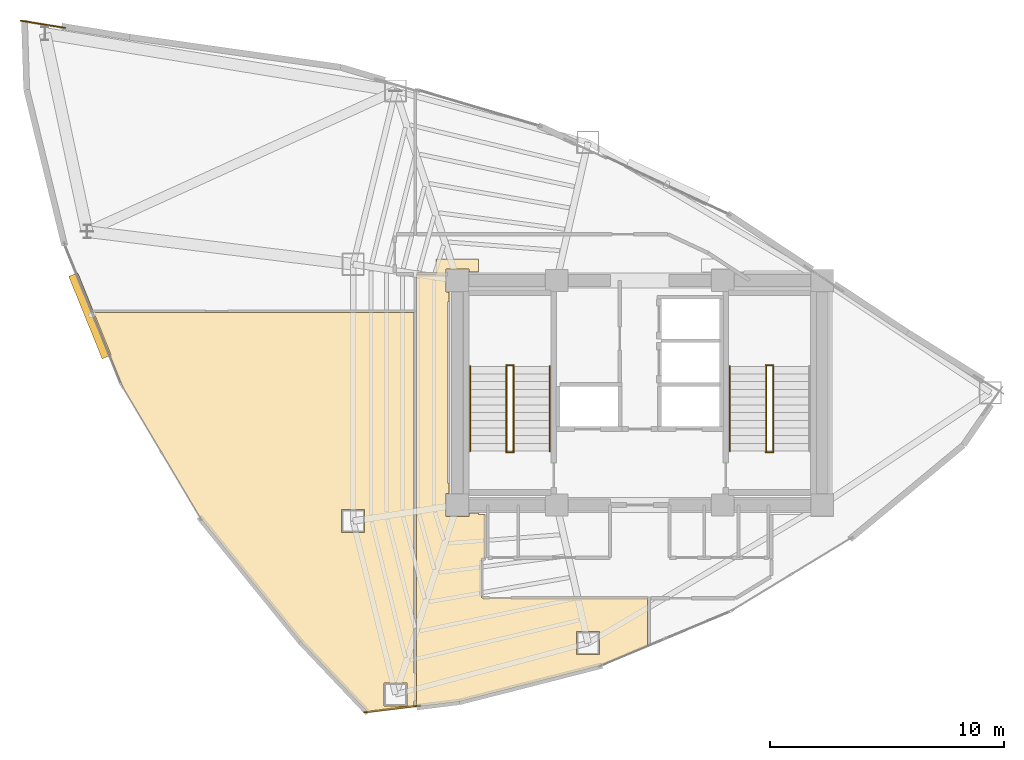
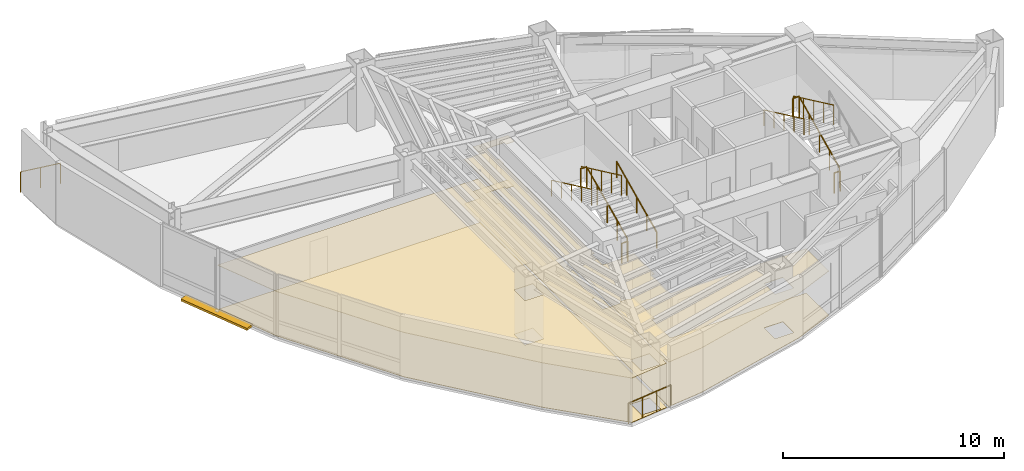
# One storey, part 15 of 16: 13 railings, 4 coverings, 1 shading device.
"""IFC4 building model written with IfcOpenShell, lengths in metres."""

from ifc_helpers import new_model, si_unit, direction, frame, origin, origin_2d, place, context, subcontext, project, spatial, polyline, rectangle, circle, outline, extrude, material, layer, layer_set, type_object, element, save


model = new_model("IFC4")

# Units and contexts
model_context = context("Model", 3, precision=1e-05, world=origin(), true_north=direction((0.0, 1.0)))
body_context = subcontext(model_context, "Body", "Model", "MODEL_VIEW")
ifc_project = project(units=[si_unit("LENGTHUNIT", "METRE"), si_unit("AREAUNIT", "SQUARE_METRE"), si_unit("VOLUMEUNIT", "CUBIC_METRE"), si_unit("PLANEANGLEUNIT", "RADIAN"), si_unit("MASSUNIT", "GRAM", prefix="KILO")], contexts=[model_context])

# Site, building, storey
site_placement = place(None, origin())
site = spatial("IfcSite", under=ifc_project, at=site_placement, CompositionType="ELEMENT")
building_placement = place(site_placement, origin())
building = spatial("IfcBuilding", under=site, at=building_placement, Name="Menara Vayukalpa", CompositionType="ELEMENT")
storey_placement = place(building_placement, frame((0.0, 0.0, 202.679931640625)))
storey = spatial("IfcBuildingStorey", under=building, at=storey_placement, Name="L51", CompositionType="ELEMENT", Elevation=202.679931640625)

# Coverings
ifc_material_1 = material(Name="Mineral Fibre Acoustic Ceiling Tile", Category="masonry")
ifc_layer_1 = layer(ifc_material_1, 0.02490234375)
ifc_layer_set_1 = layer_set([ifc_layer_1], Name="Mineral Fibre Acoustic Ceiling Tile")
covering_type_1 = type_object("IfcCoveringType", Name="COV-CLG1", PredefinedType="CEILING", material=ifc_layer_set_1)
covering_1_placement = place(storey_placement, frame((0.0, 0.0, 2.449951171875)))
element("IfcCovering", 1, at=covering_1_placement, inside=storey, type_object=covering_type_1, Name="L51 Corporate Training Classroom Acoustic Ceiling", PredefinedType="CEILING", context=body_context, shape_type="SweptSolid", body=[
    extrude(outline(polyline([(16.064697265625, 8.839599609375), (15.93994140625, 8.82421875), (15.93994140625, 8.56103515625), (15.93994140625, 8.56005859375), (15.939697265625, 8.55908203125), (15.939697265625, 8.55810546875), (15.939208984375, 8.557373046875), (15.93896484375, 8.556396484375), (15.9384765625, 8.5556640625), (15.937744140625, 8.5546875), (15.937255859375, 8.55419921875), (15.9365234375, 8.553466796875), (15.935791015625, 8.552978515625), (15.934814453125, 8.552490234375), (15.93408203125, 8.552001953125), (15.93310546875, 8.551513671875), (15.93212890625, 8.55126953125), (15.93115234375, 8.55126953125), (13.990966796875, 8.314208984375), (13.989990234375, 8.31396484375), (13.989013671875, 8.31396484375), (13.988037109375, 8.314208984375), (13.9873046875, 8.314208984375), (13.986328125, 8.314697265625), (13.985595703125, 8.31494140625), (13.984619140625, 8.3154296875), (13.98388671875, 8.31591796875), (13.983154296875, 8.31640625), (13.982421875, 8.317138671875), (11.09619140625, 11.36376953125), (11.095703125, 11.364501953125), (6.8427734375, 16.604736328125), (6.842041015625, 16.60595703125), (3.474365234375, 22.284423828125), (3.47412109375, 22.28515625), (3.4736328125, 22.28564453125), (2.207275390625, 25.40576171875), (2.20703125, 25.40673828125), (2.206787109375, 25.40771484375), (2.20654296875, 25.40869140625), (2.20654296875, 25.40966796875), (2.206787109375, 25.410400390625), (2.206787109375, 25.41162109375), (2.20703125, 25.412353515625), (2.20751953125, 25.413330078125), (2.207763671875, 25.414306640625), (2.208251953125, 25.4150390625), (2.208984375, 25.416015625), (2.20947265625, 25.41650390625), (2.210205078125, 25.417236328125), (2.211181640625, 25.417724609375), (2.2119140625, 25.418212890625), (2.212890625, 25.418701171875), (2.213623046875, 25.419189453125), (2.214599609375, 25.419189453125), (2.215576171875, 25.41943359375), (2.216552734375, 25.41943359375), (15.929931640625, 25.41943359375), (15.930908203125, 25.41943359375), (15.931884765625, 25.419189453125), (15.932861328125, 25.419189453125), (15.933837890625, 25.418701171875), (15.934814453125, 25.418212890625), (15.935546875, 25.417724609375), (15.936279296875, 25.417236328125), (15.93701171875, 25.41650390625), (15.937744140625, 25.415771484375), (15.938232421875, 25.4150390625), (15.938720703125, 25.414306640625), (15.939208984375, 25.413330078125), (15.939697265625, 25.412353515625), (15.939697265625, 25.41162109375), (15.93994140625, 25.410400390625), (15.93994140625, 25.409423828125), (15.93994140625, 10.00732421875), (16.064697265625, 10.00732421875), (16.064697265625, 8.839599609375)]), holes=[polyline([(15.644775390625, 9.58740234375), (14.664794921875, 9.58740234375), (14.664794921875, 8.607421875), (15.644775390625, 8.607421875), (15.644775390625, 9.58740234375)]), polyline([(13.833984375, 17.000732421875), (12.85400390625, 17.000732421875), (12.85400390625, 16.020751953125), (13.833984375, 16.020751953125), (13.833984375, 17.000732421875)])]), origin(), (0.0, 0.0, 1.0), 0.025146484375),
])
covering_2_placement = place(storey_placement, frame((0.0, 0.0, 2.449951171875)))
element("IfcCovering", 2, at=covering_2_placement, inside=storey, type_object=covering_type_1, Name="L51 Corporate Training Classroom Acoustic Ceiling", PredefinedType="CEILING", context=body_context, shape_type="SweptSolid", body=[
    extrude(outline(polyline([(17.449951171875, 17.68994140625), (17.31005859375, 17.68994140625), (17.31005859375, 16.7099609375), (18.2900390625, 16.7099609375), (18.2900390625, 16.85009765625), (18.7099609375, 16.85009765625), (18.7099609375, 16.7900390625), (18.97998046875, 16.7900390625), (18.98095703125, 16.7900390625), (18.98193359375, 16.789794921875), (18.98291015625, 16.78955078125), (18.98388671875, 16.789306640625), (18.984619140625, 16.788818359375), (18.985595703125, 16.788330078125), (18.986328125, 16.78759765625), (18.987060546875, 16.787109375), (18.98779296875, 16.786376953125), (18.98828125, 16.78564453125), (18.98876953125, 16.78466796875), (18.9892578125, 16.78369140625), (18.989501953125, 16.782958984375), (18.98974609375, 16.781982421875), (18.989990234375, 16.781005859375), (18.989990234375, 16.780029296875), (18.989990234375, 14.929931640625), (18.989990234375, 14.928955078125), (18.98974609375, 14.927978515625), (18.989501953125, 14.927001953125), (18.9892578125, 14.92626953125), (18.98876953125, 14.92529296875), (18.98828125, 14.92431640625), (18.98779296875, 14.923583984375), (18.987060546875, 14.9228515625), (18.986328125, 14.92236328125), (18.985595703125, 14.921630859375), (18.984619140625, 14.921142578125), (18.98388671875, 14.9208984375), (18.98291015625, 14.92041015625), (18.98193359375, 14.920166015625), (18.98095703125, 14.919921875), (18.97998046875, 14.919921875), (18.900390625, 14.919921875), (18.893310546875, 14.919677734375), (18.88623046875, 14.918701171875), (18.879638671875, 14.9169921875), (18.873291015625, 14.914794921875), (18.866943359375, 14.911865234375), (18.861083984375, 14.908203125), (18.85546875, 14.904052734375), (18.8505859375, 14.8994140625), (18.845947265625, 14.89453125), (18.841796875, 14.888916015625), (18.838134765625, 14.883056640625), (18.835205078125, 14.876708984375), (18.8330078125, 14.870361328125), (18.831298828125, 14.86376953125), (18.830322265625, 14.856689453125), (18.830078125, 14.849609375), (18.830078125, 13.290283203125), (18.830322265625, 13.283203125), (18.831298828125, 13.2763671875), (18.8330078125, 13.269775390625), (18.835205078125, 13.26318359375), (18.838134765625, 13.257080078125), (18.841796875, 13.251220703125), (18.845947265625, 13.24560546875), (18.8505859375, 13.240478515625), (18.85546875, 13.236083984375), (18.861083984375, 13.231689453125), (18.866943359375, 13.228271484375), (18.873291015625, 13.225341796875), (18.879638671875, 13.222900390625), (18.88623046875, 13.22119140625), (18.893310546875, 13.220458984375), (18.900390625, 13.219970703125), (25.929931640625, 13.219970703125), (25.930908203125, 13.219970703125), (25.931884765625, 13.2197265625), (25.932861328125, 13.219482421875), (25.933837890625, 13.21923828125), (25.934814453125, 13.21875), (25.935546875, 13.21826171875), (25.936279296875, 13.2177734375), (25.93701171875, 13.217041015625), (25.937744140625, 13.21630859375), (25.938232421875, 13.215576171875), (25.938720703125, 13.214599609375), (25.939208984375, 13.2138671875), (25.939697265625, 13.212890625), (25.939697265625, 13.2119140625), (25.93994140625, 13.2109375), (25.93994140625, 13.2099609375), (25.93994140625, 11.18701171875), (25.93994140625, 11.18603515625), (25.939697265625, 11.18505859375), (25.939697265625, 11.18408203125), (25.939208984375, 11.18310546875), (25.938720703125, 11.182373046875), (25.938232421875, 11.181396484375), (25.937744140625, 11.1806640625), (25.93701171875, 11.179931640625), (25.936279296875, 11.17919921875), (25.935546875, 11.1787109375), (25.934814453125, 11.17822265625), (25.933837890625, 11.177734375), (23.885986328125, 10.3212890625), (23.884765625, 10.32080078125), (17.880615234375, 8.789306640625), (17.879150390625, 8.789306640625), (16.0712890625, 8.568359375), (16.0703125, 8.568115234375), (16.069091796875, 8.568115234375), (16.068115234375, 8.568359375), (16.0673828125, 8.568603515625), (16.06640625, 8.56884765625), (16.0654296875, 8.5693359375), (16.064697265625, 8.56982421875), (16.063720703125, 8.5703125), (16.06298828125, 8.571044921875), (16.062255859375, 8.57177734375), (16.061767578125, 8.572509765625), (16.061279296875, 8.573486328125), (16.060791015625, 8.57421875), (16.060302734375, 8.5751953125), (16.060302734375, 8.576171875), (16.06005859375, 8.5771484375), (16.06005859375, 8.578125), (16.06005859375, 27.06005859375), (16.06005859375, 27.06103515625), (16.060302734375, 27.06201171875), (16.060302734375, 27.06298828125), (16.060791015625, 27.063720703125), (16.061279296875, 27.064697265625), (16.061767578125, 27.065673828125), (16.062255859375, 27.06640625), (16.06298828125, 27.067138671875), (16.063720703125, 27.067626953125), (16.064453125, 27.068359375), (16.065185546875, 27.06884765625), (16.066162109375, 27.069091796875), (16.067138671875, 27.069580078125), (16.068115234375, 27.06982421875), (16.069091796875, 27.070068359375), (16.070068359375, 27.070068359375), (16.889892578125, 27.070068359375), (16.889892578125, 27.7099609375), (18.7099609375, 27.7099609375), (18.7099609375, 27.14990234375), (18.2900390625, 27.14990234375), (18.2900390625, 27.2900390625), (17.31005859375, 27.2900390625), (17.31005859375, 26.31005859375), (17.449951171875, 26.31005859375), (17.449951171875, 25.889892578125), (17.389892578125, 25.889892578125), (17.389892578125, 18.110107421875), (17.449951171875, 18.110107421875), (17.449951171875, 17.68994140625)]), holes=[polyline([(23.87939453125, 11.781494140625), (22.8994140625, 11.781494140625), (22.8994140625, 10.801513671875), (23.87939453125, 10.801513671875), (23.87939453125, 11.781494140625)])]), origin(), (0.0, 0.0, 1.0), 0.025146484375),
])
ifc_material_2 = material(Name="Porcelain Stoneware Floor Tile", Category="masonry")
ifc_layer_2 = layer(ifc_material_2, 0.02001953125)
ifc_layer_set_2 = layer_set([ifc_layer_2], Name="Porcelain Stoneware Floor Tile")
covering_type_2 = type_object("IfcCoveringType", Name="COV-FLR1", PredefinedType="FLOORING", material=ifc_layer_set_2)
covering_3_placement = place(storey_placement, origin())
element("IfcCovering", 3, at=covering_3_placement, inside=storey, type_object=covering_type_2, Name="L51 Corporate Training Classroom Porcelain Flooring", PredefinedType="FLOORING", context=body_context, shape_type="SweptSolid", body=[
    extrude(outline(polyline([(16.064697265625, 8.839599609375), (15.93994140625, 8.82421875), (15.93994140625, 8.56103515625), (15.93994140625, 8.56005859375), (15.939697265625, 8.55908203125), (15.939697265625, 8.55810546875), (15.939208984375, 8.557373046875), (15.93896484375, 8.556396484375), (15.9384765625, 8.5556640625), (15.937744140625, 8.5546875), (15.937255859375, 8.55419921875), (15.9365234375, 8.553466796875), (15.935791015625, 8.552978515625), (15.934814453125, 8.552490234375), (15.93408203125, 8.552001953125), (15.93310546875, 8.551513671875), (15.93212890625, 8.55126953125), (15.93115234375, 8.55126953125), (13.990966796875, 8.314208984375), (13.989990234375, 8.31396484375), (13.989013671875, 8.31396484375), (13.988037109375, 8.314208984375), (13.9873046875, 8.314208984375), (13.986328125, 8.314697265625), (13.985595703125, 8.31494140625), (13.984619140625, 8.3154296875), (13.98388671875, 8.31591796875), (13.983154296875, 8.31640625), (13.982421875, 8.317138671875), (11.09619140625, 11.36376953125), (11.095703125, 11.364501953125), (6.8427734375, 16.604736328125), (6.842041015625, 16.60595703125), (3.474365234375, 22.284423828125), (3.47412109375, 22.28515625), (3.4736328125, 22.28564453125), (2.207275390625, 25.40576171875), (2.20703125, 25.40673828125), (2.206787109375, 25.40771484375), (2.20654296875, 25.40869140625), (2.20654296875, 25.40966796875), (2.206787109375, 25.410400390625), (2.206787109375, 25.41162109375), (2.20703125, 25.412353515625), (2.20751953125, 25.413330078125), (2.207763671875, 25.414306640625), (2.208251953125, 25.4150390625), (2.208984375, 25.416015625), (2.20947265625, 25.41650390625), (2.210205078125, 25.417236328125), (2.211181640625, 25.417724609375), (2.2119140625, 25.418212890625), (2.212890625, 25.418701171875), (2.213623046875, 25.419189453125), (2.214599609375, 25.419189453125), (2.215576171875, 25.41943359375), (2.216552734375, 25.41943359375), (15.929931640625, 25.41943359375), (15.930908203125, 25.41943359375), (15.931884765625, 25.419189453125), (15.932861328125, 25.419189453125), (15.933837890625, 25.418701171875), (15.934814453125, 25.418212890625), (15.935546875, 25.417724609375), (15.936279296875, 25.417236328125), (15.93701171875, 25.41650390625), (15.937744140625, 25.415771484375), (15.938232421875, 25.4150390625), (15.938720703125, 25.414306640625), (15.939208984375, 25.413330078125), (15.939697265625, 25.412353515625), (15.939697265625, 25.41162109375), (15.93994140625, 25.410400390625), (15.93994140625, 25.409423828125), (15.93994140625, 10.00732421875), (16.064697265625, 10.00732421875), (16.064697265625, 8.839599609375)]), holes=[polyline([(15.644775390625, 9.58740234375), (14.664794921875, 9.58740234375), (14.664794921875, 8.607421875), (15.644775390625, 8.607421875), (15.644775390625, 9.58740234375)]), polyline([(13.833984375, 17.000732421875), (12.85400390625, 17.000732421875), (12.85400390625, 16.020751953125), (13.833984375, 16.020751953125), (13.833984375, 17.000732421875)])]), origin(), (0.0, 0.0, 1.0), 0.02001953125),
])
covering_4_placement = place(storey_placement, origin())
element("IfcCovering", 4, at=covering_4_placement, inside=storey, type_object=covering_type_2, Name="L51 Corporate Training Classroom Porcelain Flooring", PredefinedType="FLOORING", context=body_context, shape_type="SweptSolid", body=[
    extrude(outline(polyline([(17.449951171875, 17.68994140625), (17.31005859375, 17.68994140625), (17.31005859375, 16.7099609375), (18.2900390625, 16.7099609375), (18.2900390625, 16.85009765625), (18.7099609375, 16.85009765625), (18.7099609375, 16.7900390625), (18.97998046875, 16.7900390625), (18.98095703125, 16.7900390625), (18.98193359375, 16.789794921875), (18.98291015625, 16.78955078125), (18.98388671875, 16.789306640625), (18.984619140625, 16.788818359375), (18.985595703125, 16.788330078125), (18.986328125, 16.78759765625), (18.987060546875, 16.787109375), (18.98779296875, 16.786376953125), (18.98828125, 16.78564453125), (18.98876953125, 16.78466796875), (18.9892578125, 16.78369140625), (18.989501953125, 16.782958984375), (18.98974609375, 16.781982421875), (18.989990234375, 16.781005859375), (18.989990234375, 16.780029296875), (18.989990234375, 14.929931640625), (18.989990234375, 14.928955078125), (18.98974609375, 14.927978515625), (18.989501953125, 14.927001953125), (18.9892578125, 14.92626953125), (18.98876953125, 14.92529296875), (18.98828125, 14.92431640625), (18.98779296875, 14.923583984375), (18.987060546875, 14.9228515625), (18.986328125, 14.92236328125), (18.985595703125, 14.921630859375), (18.984619140625, 14.921142578125), (18.98388671875, 14.9208984375), (18.98291015625, 14.92041015625), (18.98193359375, 14.920166015625), (18.98095703125, 14.919921875), (18.97998046875, 14.919921875), (18.900390625, 14.919921875), (18.893310546875, 14.919677734375), (18.88623046875, 14.918701171875), (18.879638671875, 14.9169921875), (18.873291015625, 14.914794921875), (18.866943359375, 14.911865234375), (18.861083984375, 14.908203125), (18.85546875, 14.904052734375), (18.8505859375, 14.8994140625), (18.845947265625, 14.89453125), (18.841796875, 14.888916015625), (18.838134765625, 14.883056640625), (18.835205078125, 14.876708984375), (18.8330078125, 14.870361328125), (18.831298828125, 14.86376953125), (18.830322265625, 14.856689453125), (18.830078125, 14.849609375), (18.830078125, 13.290283203125), (18.830322265625, 13.283203125), (18.831298828125, 13.2763671875), (18.8330078125, 13.269775390625), (18.835205078125, 13.26318359375), (18.838134765625, 13.257080078125), (18.841796875, 13.251220703125), (18.845947265625, 13.24560546875), (18.8505859375, 13.240478515625), (18.85546875, 13.236083984375), (18.861083984375, 13.231689453125), (18.866943359375, 13.228271484375), (18.873291015625, 13.225341796875), (18.879638671875, 13.222900390625), (18.88623046875, 13.22119140625), (18.893310546875, 13.220458984375), (18.900390625, 13.219970703125), (25.929931640625, 13.219970703125), (25.930908203125, 13.219970703125), (25.931884765625, 13.2197265625), (25.932861328125, 13.219482421875), (25.933837890625, 13.21923828125), (25.934814453125, 13.21875), (25.935546875, 13.21826171875), (25.936279296875, 13.2177734375), (25.93701171875, 13.217041015625), (25.937744140625, 13.21630859375), (25.938232421875, 13.215576171875), (25.938720703125, 13.214599609375), (25.939208984375, 13.2138671875), (25.939697265625, 13.212890625), (25.939697265625, 13.2119140625), (25.93994140625, 13.2109375), (25.93994140625, 13.2099609375), (25.93994140625, 11.18701171875), (25.93994140625, 11.18603515625), (25.939697265625, 11.18505859375), (25.939697265625, 11.18408203125), (25.939208984375, 11.18310546875), (25.938720703125, 11.182373046875), (25.938232421875, 11.181396484375), (25.937744140625, 11.1806640625), (25.93701171875, 11.179931640625), (25.936279296875, 11.17919921875), (25.935546875, 11.1787109375), (25.934814453125, 11.17822265625), (25.933837890625, 11.177734375), (23.885986328125, 10.3212890625), (23.884765625, 10.32080078125), (17.880615234375, 8.789306640625), (17.879150390625, 8.789306640625), (16.0712890625, 8.568359375), (16.0703125, 8.568115234375), (16.069091796875, 8.568115234375), (16.068115234375, 8.568359375), (16.0673828125, 8.568603515625), (16.06640625, 8.56884765625), (16.0654296875, 8.5693359375), (16.064697265625, 8.56982421875), (16.063720703125, 8.5703125), (16.06298828125, 8.571044921875), (16.062255859375, 8.57177734375), (16.061767578125, 8.572509765625), (16.061279296875, 8.573486328125), (16.060791015625, 8.57421875), (16.060302734375, 8.5751953125), (16.060302734375, 8.576171875), (16.06005859375, 8.5771484375), (16.06005859375, 8.578125), (16.06005859375, 27.06005859375), (16.06005859375, 27.06103515625), (16.060302734375, 27.06201171875), (16.060302734375, 27.06298828125), (16.060791015625, 27.063720703125), (16.061279296875, 27.064697265625), (16.061767578125, 27.065673828125), (16.062255859375, 27.06640625), (16.06298828125, 27.067138671875), (16.063720703125, 27.067626953125), (16.064453125, 27.068359375), (16.065185546875, 27.06884765625), (16.066162109375, 27.069091796875), (16.067138671875, 27.069580078125), (16.068115234375, 27.06982421875), (16.069091796875, 27.070068359375), (16.070068359375, 27.070068359375), (16.889892578125, 27.070068359375), (16.889892578125, 27.7099609375), (18.7099609375, 27.7099609375), (18.7099609375, 27.14990234375), (18.2900390625, 27.14990234375), (18.2900390625, 27.2900390625), (17.31005859375, 27.2900390625), (17.31005859375, 26.31005859375), (17.449951171875, 26.31005859375), (17.449951171875, 25.889892578125), (17.389892578125, 25.889892578125), (17.389892578125, 18.110107421875), (17.449951171875, 18.110107421875), (17.449951171875, 17.68994140625)]), holes=[polyline([(23.87939453125, 11.781494140625), (22.8994140625, 11.781494140625), (22.8994140625, 10.801513671875), (23.87939453125, 10.801513671875), (23.87939453125, 11.781494140625)])]), origin(), (0.0, 0.0, 1.0), 0.02001953125),
])

# Railings
ifc_material_3 = material(Name="Laminated Glass and Stainless Steel 316 Guardrail", Category="steel")
railing_type_1 = type_object("IfcRailingType", Name="RLG-EXT115", PredefinedType="GUARDRAIL", material=ifc_material_3)
railing_1_placement = place(storey_placement, frame((1.029296875, 37.597412109375, 0.0)))
element("IfcRailing", 5, at=railing_1_placement, inside=storey, type_object=railing_type_1, Name="L51 Column Corner Spandrel Guardrail 07-1", PredefinedType="GUARDRAIL", context=body_context, shape_type="SweptSolid", body=[
    extrude(circle(Radius=0.02392578125, at=origin_2d()), frame((0.0, 0.0, 1.1259765625), z_axis=(-0.987131356628, 0.159911490402, 0.0), x_axis=(-0.159911490402, -0.987131356628, 0.0)), (0.0, 0.0, 1.0), 1.932861328125),
    extrude(circle(Radius=0.02099609375, at=origin_2d()), origin(), (0.0, 0.0, 1.0), 1.101806640625),
    extrude(circle(Radius=0.02099609375, at=origin_2d()), frame((-0.9541015625, 0.154541015625, 0.0)), (0.0, 0.0, 1.0), 1.101806640625),
    extrude(circle(Radius=0.02099609375, at=origin_2d()), frame((-1.907958984375, 0.30908203125, 0.0)), (0.0, 0.0, 1.0), 1.101806640625),
])
railing_2_placement = place(storey_placement, frame((13.817138671875, 8.3330078125, 0.0)))
element("IfcRailing", 6, at=railing_2_placement, inside=storey, type_object=railing_type_1, Name="L51 Column Corner Spandrel Guardrail 14-1", PredefinedType="GUARDRAIL", context=body_context, shape_type="SweptSolid", body=[
    extrude(circle(Radius=0.02392578125, at=origin_2d()), frame((0.0, 0.0, 1.1259765625), z_axis=(0.992605536887, 0.121384711313, 0.0), x_axis=(-0.121384711313, 0.992605536887, 0.0)), (0.0, 0.0, 1.0), 2.41552734375),
    extrude(circle(Radius=0.02099609375, at=origin_2d()), origin(), (0.0, 0.0, 1.0), 1.101806640625),
    extrude(circle(Radius=0.02099609375, at=origin_2d()), frame((0.79931640625, 0.09765625, 0.0)), (0.0, 0.0, 1.0), 1.101806640625),
    extrude(circle(Radius=0.02099609375, at=origin_2d()), frame((1.598388671875, 0.195556640625, 0.0)), (0.0, 0.0, 1.0), 1.101806640625),
    extrude(circle(Radius=0.02099609375, at=origin_2d()), frame((2.397705078125, 0.293212890625, 0.0)), (0.0, 0.0, 1.0), 1.101806640625),
])
ifc_material_4 = material(Name="Powder-Coated Galvanised Steel Guardrail", Category="steel")
railing_type_2 = type_object("IfcRailingType", Name="RLG-STG110", PredefinedType="GUARDRAIL", material=ifc_material_4)
railing_3_placement = place(storey_placement, frame((20.199951171875, 19.5, 0.155029296875)))
element("IfcRailing", 7, at=railing_3_placement, inside=storey, type_object=railing_type_2, Name="L51 ST-1 stair guard 1", PredefinedType="GUARDRAIL", context=body_context, shape_type="SweptSolid", body=[
    extrude(circle(Radius=0.02392578125, at=origin_2d()), frame((0.0, 0.0, 1.09619140625), z_axis=(0.0, 0.90511648382, 0.425163675209), x_axis=(-1.0, 0.0, 0.0)), (0.0, 0.0, 1.0), 4.010498046875),
    extrude(circle(Radius=0.02099609375, at=origin_2d()), origin(), (0.0, 0.0, 1.0), 1.072021484375),
    extrude(circle(Radius=0.02099609375, at=origin_2d()), frame((0.0, 0.907470703125, 0.42626953125)), (0.0, 0.0, 1.0), 1.072021484375),
    extrude(circle(Radius=0.02099609375, at=origin_2d()), frame((0.0, 1.81494140625, 0.8525390625)), (0.0, 0.0, 1.0), 1.072021484375),
    extrude(circle(Radius=0.02099609375, at=origin_2d()), frame((0.0, 2.722412109375, 1.27880859375)), (0.0, 0.0, 1.0), 1.072021484375),
    extrude(circle(Radius=0.02099609375, at=origin_2d()), frame((0.0, 3.6298828125, 1.705078125)), (0.0, 0.0, 1.0), 1.072021484375),
])
railing_4_placement = place(storey_placement, frame((20.2099609375, 23.179931640625, 1.860107421875)))
element("IfcRailing", 8, at=railing_4_placement, inside=storey, type_object=railing_type_2, Name="L51 ST-1 stair guard 2", PredefinedType="GUARDRAIL", context=body_context, shape_type="SweptSolid", body=[
    extrude(circle(Radius=0.02392578125, at=origin_2d()), frame((0.0, 0.0, 1.09619140625), z_axis=(-1.0, 0.0, 0.0), x_axis=(0.0, -1.0, 0.0)), (0.0, 0.0, 1.0), 0.320068359375),
    extrude(circle(Radius=0.02099609375, at=origin_2d()), origin(), (0.0, 0.0, 1.0), 1.072021484375),
    extrude(circle(Radius=0.02099609375, at=origin_2d()), frame((-0.320068359375, 0.0, 0.0)), (0.0, 0.0, 1.0), 1.072021484375),
])
railing_5_placement = place(storey_placement, frame((19.89990234375, 23.1298828125, 2.01513671875)))
element("IfcRailing", 9, at=railing_5_placement, inside=storey, type_object=railing_type_2, Name="L51 ST-1 stair guard 3", PredefinedType="GUARDRAIL", context=body_context, shape_type="SweptSolid", body=[
    extrude(circle(Radius=0.02392578125, at=origin_2d()), frame((0.0, 0.0, 1.09619140625), z_axis=(0.0, -0.90513990983, 0.425113800803), x_axis=(1.0, 0.0, 0.0)), (0.0, 0.0, 1.0), 4.01025390625),
    extrude(circle(Radius=0.02099609375, at=origin_2d()), origin(), (0.0, 0.0, 1.0), 1.072021484375),
    extrude(circle(Radius=0.02099609375, at=origin_2d()), frame((0.0, -0.907470703125, 0.42626953125)), (0.0, 0.0, 1.0), 1.072021484375),
    extrude(circle(Radius=0.02099609375, at=origin_2d()), frame((0.0, -1.81494140625, 0.8525390625)), (0.0, 0.0, 1.0), 1.072021484375),
    extrude(circle(Radius=0.02099609375, at=origin_2d()), frame((0.0, -2.722412109375, 1.278564453125)), (0.0, 0.0, 1.0), 1.072021484375),
    extrude(circle(Radius=0.02099609375, at=origin_2d()), frame((0.0, -3.6298828125, 1.704833984375)), (0.0, 0.0, 1.0), 1.072021484375),
])
railing_6_placement = place(storey_placement, frame((20.2099609375, 19.449951171875, 0.0)))
element("IfcRailing", 10, at=railing_6_placement, inside=storey, type_object=railing_type_2, Name="L51 ST-1 stair guard 4", PredefinedType="GUARDRAIL", context=body_context, shape_type="SweptSolid", body=[
    extrude(circle(Radius=0.02392578125, at=origin_2d()), frame((0.0, 0.0, 1.09619140625), z_axis=(-1.0, 0.0, 0.0), x_axis=(0.0, -1.0, 0.0)), (0.0, 0.0, 1.0), 0.320068359375),
    extrude(circle(Radius=0.02099609375, at=origin_2d()), origin(), (0.0, 0.0, 1.0), 1.072021484375),
    extrude(circle(Radius=0.02099609375, at=origin_2d()), frame((-0.320068359375, 0.0, 0.0)), (0.0, 0.0, 1.0), 1.072021484375),
])
railing_7_placement = place(storey_placement, frame((31.300048828125, 19.5, 0.155029296875)))
element("IfcRailing", 11, at=railing_7_placement, inside=storey, type_object=railing_type_2, Name="L51 ST-2 stair guard 1", PredefinedType="GUARDRAIL", context=body_context, shape_type="SweptSolid", body=[
    extrude(circle(Radius=0.02392578125, at=origin_2d()), frame((0.0, 0.0, 1.09619140625), z_axis=(0.0, 0.90511648382, 0.425163675209), x_axis=(-1.0, 0.0, 0.0)), (0.0, 0.0, 1.0), 4.010498046875),
    extrude(circle(Radius=0.02099609375, at=origin_2d()), origin(), (0.0, 0.0, 1.0), 1.072021484375),
    extrude(circle(Radius=0.02099609375, at=origin_2d()), frame((0.0, 0.907470703125, 0.42626953125)), (0.0, 0.0, 1.0), 1.072021484375),
    extrude(circle(Radius=0.02099609375, at=origin_2d()), frame((0.0, 1.81494140625, 0.8525390625)), (0.0, 0.0, 1.0), 1.072021484375),
    extrude(circle(Radius=0.02099609375, at=origin_2d()), frame((0.0, 2.722412109375, 1.27880859375)), (0.0, 0.0, 1.0), 1.072021484375),
    extrude(circle(Radius=0.02099609375, at=origin_2d()), frame((0.0, 3.6298828125, 1.705078125)), (0.0, 0.0, 1.0), 1.072021484375),
])
railing_8_placement = place(storey_placement, frame((31.31005859375, 23.179931640625, 1.860107421875)))
element("IfcRailing", 12, at=railing_8_placement, inside=storey, type_object=railing_type_2, Name="L51 ST-2 stair guard 2", PredefinedType="GUARDRAIL", context=body_context, shape_type="SweptSolid", body=[
    extrude(circle(Radius=0.02392578125, at=origin_2d()), frame((0.0, 0.0, 1.09619140625), z_axis=(-1.0, 0.0, 0.0), x_axis=(0.0, -1.0, 0.0)), (0.0, 0.0, 1.0), 0.320068359375),
    extrude(circle(Radius=0.02099609375, at=origin_2d()), origin(), (0.0, 0.0, 1.0), 1.072021484375),
    extrude(circle(Radius=0.02099609375, at=origin_2d()), frame((-0.320068359375, 0.0, 0.0)), (0.0, 0.0, 1.0), 1.072021484375),
])
railing_9_placement = place(storey_placement, frame((31.0, 23.1298828125, 2.01513671875)))
element("IfcRailing", 13, at=railing_9_placement, inside=storey, type_object=railing_type_2, Name="L51 ST-2 stair guard 3", PredefinedType="GUARDRAIL", context=body_context, shape_type="SweptSolid", body=[
    extrude(circle(Radius=0.02392578125, at=origin_2d()), frame((0.0, 0.0, 1.09619140625), z_axis=(0.0, -0.90513990983, 0.425113800803), x_axis=(1.0, 0.0, 0.0)), (0.0, 0.0, 1.0), 4.01025390625),
    extrude(circle(Radius=0.02099609375, at=origin_2d()), origin(), (0.0, 0.0, 1.0), 1.072021484375),
    extrude(circle(Radius=0.02099609375, at=origin_2d()), frame((0.0, -0.907470703125, 0.42626953125)), (0.0, 0.0, 1.0), 1.072021484375),
    extrude(circle(Radius=0.02099609375, at=origin_2d()), frame((0.0, -1.81494140625, 0.8525390625)), (0.0, 0.0, 1.0), 1.072021484375),
    extrude(circle(Radius=0.02099609375, at=origin_2d()), frame((0.0, -2.722412109375, 1.278564453125)), (0.0, 0.0, 1.0), 1.072021484375),
    extrude(circle(Radius=0.02099609375, at=origin_2d()), frame((0.0, -3.6298828125, 1.704833984375)), (0.0, 0.0, 1.0), 1.072021484375),
])
railing_10_placement = place(storey_placement, frame((31.31005859375, 19.449951171875, 0.0)))
element("IfcRailing", 14, at=railing_10_placement, inside=storey, type_object=railing_type_2, Name="L51 ST-2 stair guard 4", PredefinedType="GUARDRAIL", context=body_context, shape_type="SweptSolid", body=[
    extrude(circle(Radius=0.02392578125, at=origin_2d()), frame((0.0, 0.0, 1.09619140625), z_axis=(-1.0, 0.0, 0.0), x_axis=(0.0, -1.0, 0.0)), (0.0, 0.0, 1.0), 0.320068359375),
    extrude(circle(Radius=0.02099609375, at=origin_2d()), origin(), (0.0, 0.0, 1.0), 1.072021484375),
    extrude(circle(Radius=0.02099609375, at=origin_2d()), frame((-0.320068359375, 0.0, 0.0)), (0.0, 0.0, 1.0), 1.072021484375),
])
ifc_material_5 = material(Name="Stainless Steel 316 Tubular Handrail", Category="steel")
railing_type_3 = type_object("IfcRailingType", Name="RLG-STH090", PredefinedType="HANDRAIL", material=ifc_material_5)
railing_11_placement = place(storey_placement, frame((21.75, 19.5, 0.155029296875)))
element("IfcRailing", 15, at=railing_11_placement, inside=storey, type_object=railing_type_3, Name="L51 ST-1 stair handrail 1", PredefinedType="HANDRAIL", context=body_context, shape_type="SweptSolid", body=[
    extrude(circle(Radius=0.02392578125, at=origin_2d()), frame((0.0, 0.0, 0.8759765625), z_axis=(0.0, 0.90511648382, 0.425163675209), x_axis=(-1.0, 0.0, 0.0)), (0.0, 0.0, 1.0), 4.010498046875),
    extrude(circle(Radius=0.02099609375, at=origin_2d()), origin(), (0.0, 0.0, 1.0), 0.851806640625),
    extrude(circle(Radius=0.02099609375, at=origin_2d()), frame((0.0, 0.907470703125, 0.42626953125)), (0.0, 0.0, 1.0), 0.851806640625),
    extrude(circle(Radius=0.02099609375, at=origin_2d()), frame((0.0, 1.81494140625, 0.8525390625)), (0.0, 0.0, 1.0), 0.851806640625),
    extrude(circle(Radius=0.02099609375, at=origin_2d()), frame((0.0, 2.722412109375, 1.27880859375)), (0.0, 0.0, 1.0), 0.851806640625),
    extrude(circle(Radius=0.02099609375, at=origin_2d()), frame((0.0, 3.6298828125, 1.705078125)), (0.0, 0.0, 1.0), 0.851806640625),
])
for number, where, name in (
    (16, (18.35009765625, 23.1298828125, 2.01513671875), "L51 ST-1 stair handrail 2"),
    (17, (29.449951171875, 23.1298828125, 2.01513671875), "L51 ST-2 stair handrail 2"),
):
    element("IfcRailing", number, at=place(storey_placement, frame(where)), inside=storey, type_object=railing_type_3, Name=name, PredefinedType="HANDRAIL", context=body_context, shape_type="SweptSolid", body=[
        extrude(circle(Radius=0.02392578125, at=origin_2d()), frame((0.0, 0.0, 0.8759765625), z_axis=(0.0, -0.90513990983, 0.425113800803), x_axis=(1.0, 0.0, 0.0)), (0.0, 0.0, 1.0), 4.01025390625),
        extrude(circle(Radius=0.02099609375, at=origin_2d()), origin(), (0.0, 0.0, 1.0), 0.851806640625),
        extrude(circle(Radius=0.02099609375, at=origin_2d()), frame((0.0, -0.907470703125, 0.42626953125)), (0.0, 0.0, 1.0), 0.851806640625),
        extrude(circle(Radius=0.02099609375, at=origin_2d()), frame((0.0, -1.81494140625, 0.8525390625)), (0.0, 0.0, 1.0), 0.851806640625),
        extrude(circle(Radius=0.02099609375, at=origin_2d()), frame((0.0, -2.722412109375, 1.278564453125)), (0.0, 0.0, 1.0), 0.851806640625),
        extrude(circle(Radius=0.02099609375, at=origin_2d()), frame((0.0, -3.6298828125, 1.704833984375)), (0.0, 0.0, 1.0), 0.851806640625),
    ])

# Shading device
ifc_material_6 = material(Name="Glazed Terracotta Ceramic Baguette Extrusion", Category="masonry")
ifc_layer_3 = layer(ifc_material_6, 0.1201171875)
ifc_layer_set_3 = layer_set([ifc_layer_3], Name="Glazed Terracotta Ceramic Baguette Extrusion")
shading_device_type = type_object("IfcShadingDeviceType", Name="SHD-SS1", PredefinedType="USERDEFINED", material=ifc_layer_set_3)
shading_device_placement = place(storey_placement, frame((2.09326171875, 25.2880859375, -0.10009765625), z_axis=(0.0, 0.0, 1.0), x_axis=(0.376094891671, -0.926581152657, 0.0)))
element("IfcShadingDevice", 18, at=shading_device_placement, inside=storey, type_object=shading_device_type, Name="L51 Horizontal Terracotta Sunshade Band 13", ObjectType="SUNSHADE", PredefinedType="USERDEFINED", context=body_context, shape_type="SweptSolid", body=[
    extrude(rectangle(XDim=3.800048828125, YDim=0.419921875, at=origin_2d()), origin(), (0.0, 0.0, 1.0), 0.1201171875),
])

save(model, "model.ifc")
